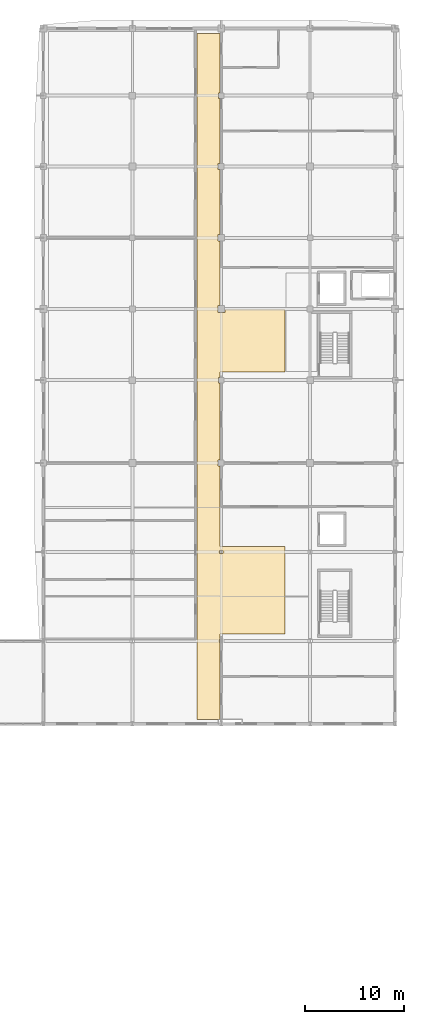
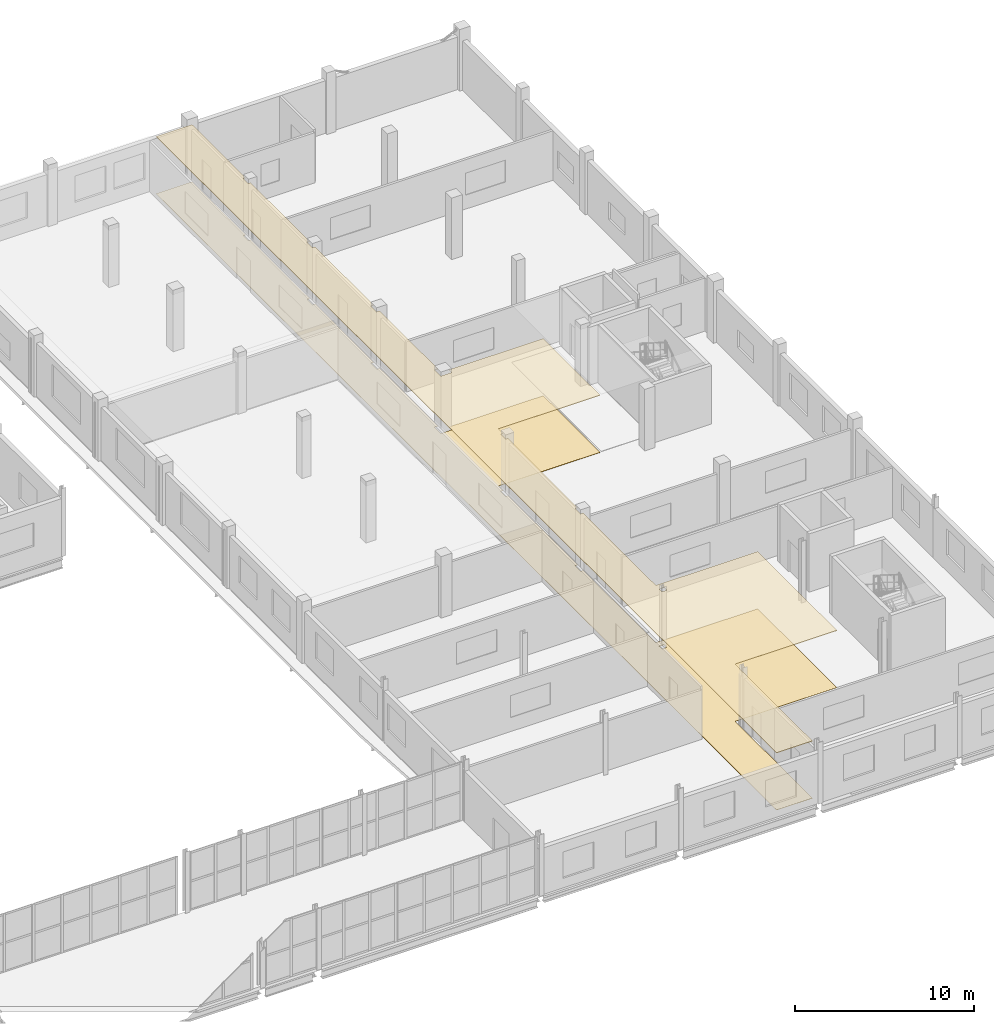
# One storey, part 120 of 121: 2 coverings.
"""IFC4 building model written with IfcOpenShell, lengths in metres."""

from ifc_helpers import new_model, si_unit, direction, frame, origin, place, context, subcontext, project, spatial, polyline, outline, extrude, material, layer, layer_set, type_object, element, save


model = new_model("IFC4")

# Units and contexts
model_context = context("Model", 3, precision=1e-05, world=origin(), true_north=direction((0.0, 1.0)))
body_context = subcontext(model_context, "Body", "Model", "MODEL_VIEW")
ifc_project = project(units=[si_unit("LENGTHUNIT", "METRE"), si_unit("AREAUNIT", "SQUARE_METRE"), si_unit("VOLUMEUNIT", "CUBIC_METRE"), si_unit("PLANEANGLEUNIT", "RADIAN"), si_unit("MASSUNIT", "GRAM", prefix="KILO")], contexts=[model_context])

# Site, building, storey
site_placement = place(None, origin())
site = spatial("IfcSite", under=ifc_project, at=site_placement, CompositionType="ELEMENT")
building_placement = place(site_placement, origin())
building = spatial("IfcBuilding", under=site, at=building_placement, Name="Vinh Khe Railworks Police Headquarters", CompositionType="ELEMENT")
storey_placement = place(building_placement, frame((0.0, 0.0, 4.800048828125)))
storey = spatial("IfcBuildingStorey", under=building, at=storey_placement, Name="L01", CompositionType="ELEMENT", Elevation=4.800048828125)

# Coverings
ifc_material_1 = material(Name="Mineral fibre acoustic ceiling tile")
ifc_layer_1 = layer(ifc_material_1, 0.034912109375)
ifc_layer_set_1 = layer_set([ifc_layer_1], Name="Mineral fibre acoustic ceiling tile")
covering_type_1 = type_object("IfcCoveringType", Name="COV-CEIL-ACOUSTIC", PredefinedType="CEILING", material=ifc_layer_set_1)
covering_1_placement = place(storey_placement, frame((0.0, 0.0, 3.89501953125)))
element("IfcCovering", 1, at=covering_1_placement, inside=storey, type_object=covering_type_1, Name="Acoustic Ceiling Forensic and Custody Corridor L01", PredefinedType="CEILING", context=body_context, shape_type="SweptSolid", body=[
    extrude(outline(polyline([(95.860107421875, 96.43994140625), (95.860107421875, 104.199951171875), (95.844970703125, 104.199951171875), (95.844970703125, 104.60009765625), (95.860107421875, 104.60009765625), (95.860107421875, 105.090087890625), (102.43994140625, 105.090087890625), (102.43994140625, 113.9599609375), (95.860107421875, 113.9599609375), (95.860107421875, 122.094970703125), (95.695068359375, 122.094970703125), (95.695068359375, 122.705078125), (95.860107421875, 122.705078125), (95.860107421875, 130.52001953125), (95.719970703125, 130.52001953125), (95.719970703125, 131.080078125), (95.860107421875, 131.080078125), (95.860107421875, 131.590087890625), (102.43994140625, 131.590087890625), (102.43994140625, 137.9599609375), (96.35498046875, 137.9599609375), (96.35498046875, 137.64501953125), (95.64501953125, 137.64501953125), (95.64501953125, 138.35498046875), (95.860107421875, 138.35498046875), (95.860107421875, 144.8701171875), (95.669921875, 144.8701171875), (95.669921875, 145.530029296875), (95.860107421875, 145.530029296875), (95.860107421875, 152.094970703125), (95.695068359375, 152.094970703125), (95.695068359375, 152.705078125), (95.860107421875, 152.705078125), (95.860107421875, 159.320068359375), (95.719970703125, 159.320068359375), (95.719970703125, 159.8798828125), (95.860107421875, 159.8798828125), (95.860107421875, 165.860107421875), (93.5400390625, 165.860107421875), (93.5400390625, 96.43994140625), (95.860107421875, 96.43994140625)]), holes=[polyline([(96.155029296875, 113.2451171875), (95.844970703125, 113.2451171875), (95.844970703125, 113.554931640625), (96.155029296875, 113.554931640625), (96.155029296875, 113.2451171875)])]), origin(), (0.0, 0.0, 1.0), 0.034912109375),
])
ifc_material_2 = material(Name="Honed granite terrazzo flooring", Category="masonry")
ifc_layer_2 = layer(ifc_material_2, 0.02001953125)
ifc_layer_set_2 = layer_set([ifc_layer_2], Name="Honed granite terrazzo flooring")
covering_type_2 = type_object("IfcCoveringType", Name="COV-FLR-TERRAZZO", PredefinedType="FLOORING", material=ifc_layer_set_2)
covering_2_placement = place(storey_placement, origin())
element("IfcCovering", 2, at=covering_2_placement, inside=storey, type_object=covering_type_2, Name="Terrazzo Floor Finish Forensic and Custody Corridor L01", PredefinedType="FLOORING", context=body_context, shape_type="SweptSolid", body=[
    extrude(outline(polyline([(95.860107421875, 96.43994140625), (95.860107421875, 104.199951171875), (95.844970703125, 104.199951171875), (95.844970703125, 104.60009765625), (95.860107421875, 104.60009765625), (95.860107421875, 105.090087890625), (102.43994140625, 105.090087890625), (102.43994140625, 113.9599609375), (95.860107421875, 113.9599609375), (95.860107421875, 122.094970703125), (95.695068359375, 122.094970703125), (95.695068359375, 122.705078125), (95.860107421875, 122.705078125), (95.860107421875, 130.52001953125), (95.719970703125, 130.52001953125), (95.719970703125, 131.080078125), (95.860107421875, 131.080078125), (95.860107421875, 131.590087890625), (102.43994140625, 131.590087890625), (102.43994140625, 137.9599609375), (96.35498046875, 137.9599609375), (96.35498046875, 137.64501953125), (95.64501953125, 137.64501953125), (95.64501953125, 138.35498046875), (95.860107421875, 138.35498046875), (95.860107421875, 144.8701171875), (95.669921875, 144.8701171875), (95.669921875, 145.530029296875), (95.860107421875, 145.530029296875), (95.860107421875, 152.094970703125), (95.695068359375, 152.094970703125), (95.695068359375, 152.705078125), (95.860107421875, 152.705078125), (95.860107421875, 159.320068359375), (95.719970703125, 159.320068359375), (95.719970703125, 159.8798828125), (95.860107421875, 159.8798828125), (95.860107421875, 165.860107421875), (93.5400390625, 165.860107421875), (93.5400390625, 96.43994140625), (95.860107421875, 96.43994140625)]), holes=[polyline([(96.155029296875, 113.2451171875), (95.844970703125, 113.2451171875), (95.844970703125, 113.554931640625), (96.155029296875, 113.554931640625), (96.155029296875, 113.2451171875)])]), origin(), (0.0, 0.0, 1.0), 0.02001953125),
])

save(model, "model.ifc")
